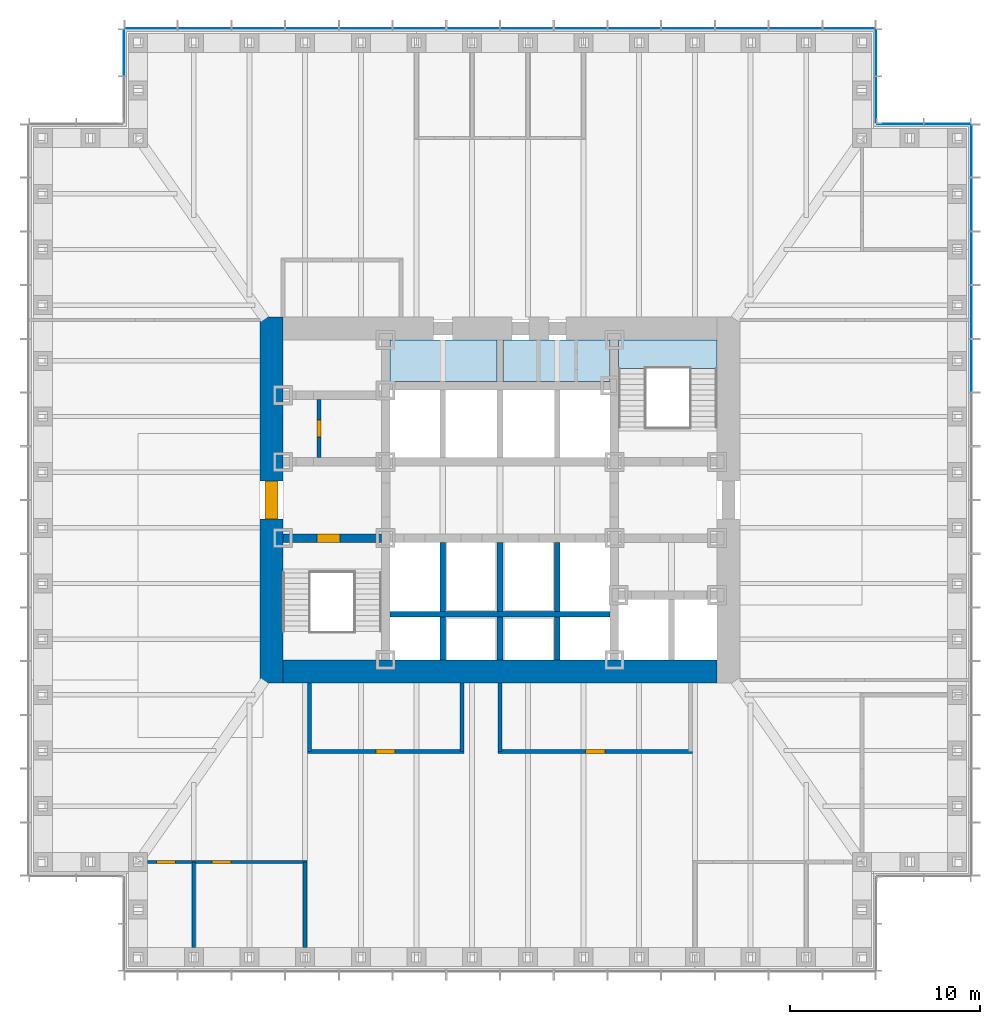
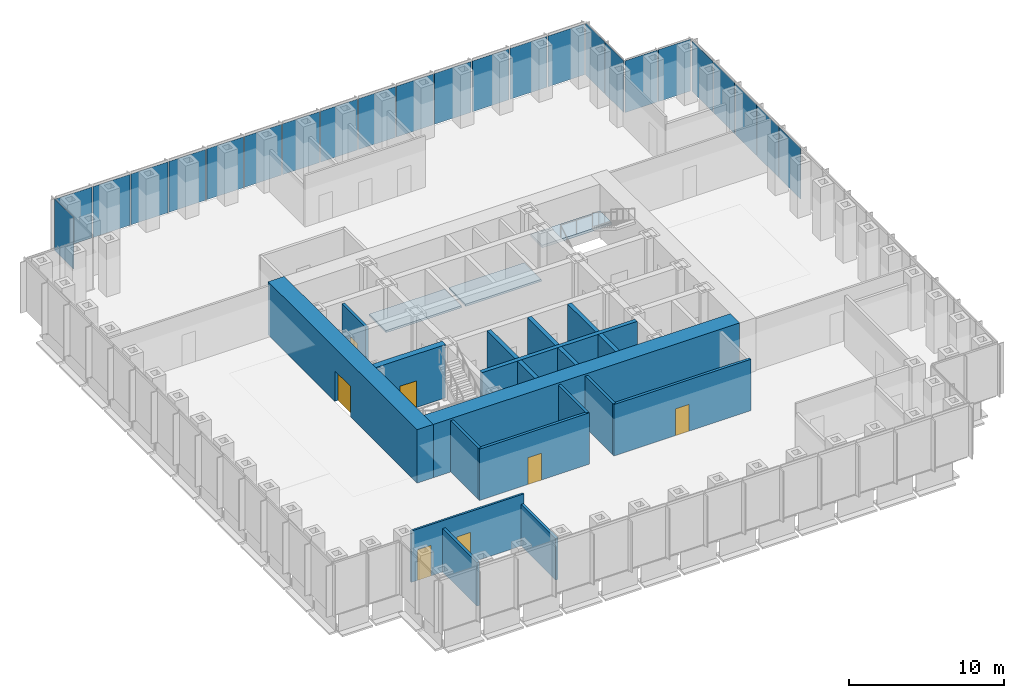
# One storey, part 8 of 16: 24 plates, 19 walls, 7 doors, 3 slabs, 7 openings, 6 elements without a shape of their own.
"""IFC4 building model written with IfcOpenShell, lengths in metres."""

from ifc_helpers import new_model, si_unit, direction, frame, frame_2d, origin, origin_2d, place, context, subcontext, project, spatial, polyline, rectangle, outline, extrude, material, layer, layer_set, type_object, element, fill, aggregate, save


model = new_model("IFC4")

# Units and contexts
model_context = context("Model", 3, precision=1e-05, world=origin(), true_north=direction((0.0, 1.0)))
body_context = subcontext(model_context, "Body", "Model", "MODEL_VIEW")
ifc_project = project(units=[si_unit("LENGTHUNIT", "METRE"), si_unit("AREAUNIT", "SQUARE_METRE"), si_unit("VOLUMEUNIT", "CUBIC_METRE"), si_unit("PLANEANGLEUNIT", "RADIAN"), si_unit("MASSUNIT", "GRAM", prefix="KILO")], contexts=[model_context])

# Site, building, storey
site_placement = place(None, origin())
site = spatial("IfcSite", under=ifc_project, at=site_placement, CompositionType="ELEMENT")
building_placement = place(site_placement, origin())
building = spatial("IfcBuilding", under=site, at=building_placement, Name="Daluyong Arena Tower", CompositionType="ELEMENT")
storey_placement = place(building_placement, frame((0.0, 0.0, 43.300048828125)))
storey = spatial("IfcBuildingStorey", under=building, at=storey_placement, Name="L08", CompositionType="ELEMENT", Elevation=43.300048828125)

# Curtain wall, plates
ifc_material_1 = material(Name="Bronze anodised aluminium and glass", Category="aluminium")
curtain_wall_type_1 = type_object("IfcCurtainWallType", Name="Curtain wall CW1", PredefinedType="USERDEFINED", material=ifc_material_1)
curtain_wall_1_placement = place(storey_placement, origin())
curtain_wall_1 = element("IfcCurtainWall", 1, at=curtain_wall_1_placement, inside=storey, type_object=curtain_wall_type_1, Name="curtain wall L08 E", ObjectType="UNITISED CURTAIN WALL", PredefinedType="USERDEFINED")
ifc_material_2 = material(Name="Tinted double glazed unit", Category="glass")
ifc_layer_1 = layer(ifc_material_2, 0.031982421875)
ifc_layer_set_1 = layer_set([ifc_layer_1], Name="Tinted double glazed unit")
plate_type_1 = type_object("IfcPlateType", Name="CW1 panel 32", PredefinedType="CURTAIN_PANEL", material=ifc_layer_set_1)
plate_1_placement = place(storey_placement, frame((80.75, 87.053466796875, 0.0), z_axis=(0.0, 0.0, 1.0), x_axis=(0.0, 1.0, 0.0)))
plate_1 = element("IfcPlate", 2, at=plate_1_placement, type_object=plate_type_1, Name="curtain wall L08 E panel 10", PredefinedType="CURTAIN_PANEL", context=body_context, shape_type="SweptSolid", body=[
    extrude(rectangle(XDim=2.741455078125, YDim=0.031982421875, at=origin_2d()), origin(), (0.0, 0.0, 1.0), 4.0),
])
plate_2_placement = place(storey_placement, frame((80.75, 89.875, 0.0), z_axis=(0.0, 0.0, 1.0), x_axis=(0.0, 1.0, 0.0)))
plate_2 = element("IfcPlate", 3, at=plate_2_placement, type_object=plate_type_1, Name="curtain wall L08 E panel 11", PredefinedType="CURTAIN_PANEL", context=body_context, shape_type="SweptSolid", body=[
    extrude(rectangle(XDim=2.741455078125, YDim=0.031982421875, at=origin_2d()), origin(), (0.0, 0.0, 1.0), 4.0),
])
plate_3_placement = place(storey_placement, frame((80.75, 92.696533203125, 0.0), z_axis=(0.0, 0.0, 1.0), x_axis=(0.0, 1.0, 0.0)))
plate_3 = element("IfcPlate", 4, at=plate_3_placement, type_object=plate_type_1, Name="curtain wall L08 E panel 12", PredefinedType="CURTAIN_PANEL", context=body_context, shape_type="SweptSolid", body=[
    extrude(rectangle(XDim=2.741455078125, YDim=0.031982421875, at=origin_2d()), origin(), (0.0, 0.0, 1.0), 4.0),
])
plate_4_placement = place(storey_placement, frame((80.75, 95.517822265625, 0.0), z_axis=(0.0, 0.0, 1.0), x_axis=(0.0, 1.0, 0.0)))
plate_4 = element("IfcPlate", 5, at=plate_4_placement, type_object=plate_type_1, Name="curtain wall L08 E panel 13", PredefinedType="CURTAIN_PANEL", context=body_context, shape_type="SweptSolid", body=[
    extrude(rectangle(XDim=2.741455078125, YDim=0.031982421875, at=origin_2d()), origin(), (0.0, 0.0, 1.0), 4.0),
])
plate_5_placement = place(storey_placement, frame((80.75, 98.3193359375, 0.0), z_axis=(0.0, 0.0, 1.0), x_axis=(0.0, 1.0, 0.0)))
plate_5 = element("IfcPlate", 6, at=plate_5_placement, type_object=plate_type_1, Name="curtain wall L08 E panel 14", PredefinedType="CURTAIN_PANEL", context=body_context, shape_type="SweptSolid", body=[
    extrude(rectangle(XDim=2.701416015625, YDim=0.031982421875, at=origin_2d()), origin(), (0.0, 0.0, 1.0), 4.0),
])
aggregate(curtain_wall_1, [plate_1, plate_2, plate_3, plate_4, plate_5])

curtain_wall_2_placement = place(storey_placement, origin())
curtain_wall_2 = element("IfcCurtainWall", 7, at=curtain_wall_2_placement, inside=storey, type_object=curtain_wall_type_1, Name="curtain wall L08 N", ObjectType="UNITISED CURTAIN WALL", PredefinedType="USERDEFINED")
plate_6_placement = place(storey_placement, frame((74.3193359375, 104.75, 0.0), z_axis=(0.0, 0.0, 1.0), x_axis=(-1.0, 0.0, 0.0)))
plate_6 = element("IfcPlate", 8, at=plate_6_placement, type_object=plate_type_1, Name="curtain wall L08 N panel 1", PredefinedType="CURTAIN_PANEL", context=body_context, shape_type="SweptSolid", body=[
    extrude(rectangle(XDim=2.701416015625, YDim=0.031982421875, at=origin_2d()), origin(), (0.0, 0.0, 1.0), 4.0),
])
plate_7_placement = place(storey_placement, frame((71.517822265625, 104.75, 0.0), z_axis=(0.0, 0.0, 1.0), x_axis=(-1.0, 0.0, 0.0)))
plate_7 = element("IfcPlate", 9, at=plate_7_placement, type_object=plate_type_1, Name="curtain wall L08 N panel 2", PredefinedType="CURTAIN_PANEL", context=body_context, shape_type="SweptSolid", body=[
    extrude(rectangle(XDim=2.741455078125, YDim=0.031982421875, at=origin_2d()), origin(), (0.0, 0.0, 1.0), 4.0),
])
plate_8_placement = place(storey_placement, frame((68.696533203125, 104.75, 0.0), z_axis=(0.0, 0.0, 1.0), x_axis=(-1.0, 0.0, 0.0)))
plate_8 = element("IfcPlate", 10, at=plate_8_placement, type_object=plate_type_1, Name="curtain wall L08 N panel 3", PredefinedType="CURTAIN_PANEL", context=body_context, shape_type="SweptSolid", body=[
    extrude(rectangle(XDim=2.741455078125, YDim=0.031982421875, at=origin_2d()), origin(), (0.0, 0.0, 1.0), 4.0),
])
plate_9_placement = place(storey_placement, frame((65.875, 104.75, 0.0), z_axis=(0.0, 0.0, 1.0), x_axis=(-1.0, 0.0, 0.0)))
plate_9 = element("IfcPlate", 11, at=plate_9_placement, type_object=plate_type_1, Name="curtain wall L08 N panel 4", PredefinedType="CURTAIN_PANEL", context=body_context, shape_type="SweptSolid", body=[
    extrude(rectangle(XDim=2.741455078125, YDim=0.031982421875, at=origin_2d()), origin(), (0.0, 0.0, 1.0), 4.0),
])
plate_10_placement = place(storey_placement, frame((63.053466796875, 104.75, 0.0), z_axis=(0.0, 0.0, 1.0), x_axis=(-1.0, 0.0, 0.0)))
plate_10 = element("IfcPlate", 12, at=plate_10_placement, type_object=plate_type_1, Name="curtain wall L08 N panel 5", PredefinedType="CURTAIN_PANEL", context=body_context, shape_type="SweptSolid", body=[
    extrude(rectangle(XDim=2.741455078125, YDim=0.031982421875, at=origin_2d()), origin(), (0.0, 0.0, 1.0), 4.0),
])
plate_11_placement = place(storey_placement, frame((60.232177734375, 104.75, 0.0), z_axis=(0.0, 0.0, 1.0), x_axis=(-1.0, 0.0, 0.0)))
plate_11 = element("IfcPlate", 13, at=plate_11_placement, type_object=plate_type_1, Name="curtain wall L08 N panel 6", PredefinedType="CURTAIN_PANEL", context=body_context, shape_type="SweptSolid", body=[
    extrude(rectangle(XDim=2.741455078125, YDim=0.031982421875, at=origin_2d()), origin(), (0.0, 0.0, 1.0), 4.0),
])
plate_12_placement = place(storey_placement, frame((57.41064453125, 104.75, 0.0), z_axis=(0.0, 0.0, 1.0), x_axis=(-1.0, 0.0, 0.0)))
plate_12 = element("IfcPlate", 14, at=plate_12_placement, type_object=plate_type_1, Name="curtain wall L08 N panel 7", PredefinedType="CURTAIN_PANEL", context=body_context, shape_type="SweptSolid", body=[
    extrude(rectangle(XDim=2.741455078125, YDim=0.031982421875, at=origin_2d()), origin(), (0.0, 0.0, 1.0), 4.0),
])
plate_13_placement = place(storey_placement, frame((54.58935546875, 104.75, 0.0), z_axis=(0.0, 0.0, 1.0), x_axis=(-1.0, 0.0, 0.0)))
plate_13 = element("IfcPlate", 15, at=plate_13_placement, type_object=plate_type_1, Name="curtain wall L08 N panel 8", PredefinedType="CURTAIN_PANEL", context=body_context, shape_type="SweptSolid", body=[
    extrude(rectangle(XDim=2.741455078125, YDim=0.031982421875, at=origin_2d()), origin(), (0.0, 0.0, 1.0), 4.0),
])
plate_14_placement = place(storey_placement, frame((51.767822265625, 104.75, 0.0), z_axis=(0.0, 0.0, 1.0), x_axis=(-1.0, 0.0, 0.0)))
plate_14 = element("IfcPlate", 16, at=plate_14_placement, type_object=plate_type_1, Name="curtain wall L08 N panel 9", PredefinedType="CURTAIN_PANEL", context=body_context, shape_type="SweptSolid", body=[
    extrude(rectangle(XDim=2.741455078125, YDim=0.031982421875, at=origin_2d()), origin(), (0.0, 0.0, 1.0), 4.0),
])
plate_15_placement = place(storey_placement, frame((48.946533203125, 104.75, 0.0), z_axis=(0.0, 0.0, 1.0), x_axis=(-1.0, 0.0, 0.0)))
plate_15 = element("IfcPlate", 17, at=plate_15_placement, type_object=plate_type_1, Name="curtain wall L08 N panel 10", PredefinedType="CURTAIN_PANEL", context=body_context, shape_type="SweptSolid", body=[
    extrude(rectangle(XDim=2.741455078125, YDim=0.031982421875, at=origin_2d()), origin(), (0.0, 0.0, 1.0), 4.0),
])
plate_16_placement = place(storey_placement, frame((46.125, 104.75, 0.0), z_axis=(0.0, 0.0, 1.0), x_axis=(-1.0, 0.0, 0.0)))
plate_16 = element("IfcPlate", 18, at=plate_16_placement, type_object=plate_type_1, Name="curtain wall L08 N panel 11", PredefinedType="CURTAIN_PANEL", context=body_context, shape_type="SweptSolid", body=[
    extrude(rectangle(XDim=2.741455078125, YDim=0.031982421875, at=origin_2d()), origin(), (0.0, 0.0, 1.0), 4.0),
])
plate_17_placement = place(storey_placement, frame((43.303466796875, 104.75, 0.0), z_axis=(0.0, 0.0, 1.0), x_axis=(-1.0, 0.0, 0.0)))
plate_17 = element("IfcPlate", 19, at=plate_17_placement, type_object=plate_type_1, Name="curtain wall L08 N panel 12", PredefinedType="CURTAIN_PANEL", context=body_context, shape_type="SweptSolid", body=[
    extrude(rectangle(XDim=2.741455078125, YDim=0.031982421875, at=origin_2d()), origin(), (0.0, 0.0, 1.0), 4.0),
])
plate_18_placement = place(storey_placement, frame((40.482177734375, 104.75, 0.0), z_axis=(0.0, 0.0, 1.0), x_axis=(-1.0, 0.0, 0.0)))
plate_18 = element("IfcPlate", 20, at=plate_18_placement, type_object=plate_type_1, Name="curtain wall L08 N panel 13", PredefinedType="CURTAIN_PANEL", context=body_context, shape_type="SweptSolid", body=[
    extrude(rectangle(XDim=2.741455078125, YDim=0.031982421875, at=origin_2d()), origin(), (0.0, 0.0, 1.0), 4.0),
])
plate_19_placement = place(storey_placement, frame((37.6806640625, 104.75, 0.0), z_axis=(0.0, 0.0, 1.0), x_axis=(-1.0, 0.0, 0.0)))
plate_19 = element("IfcPlate", 21, at=plate_19_placement, type_object=plate_type_1, Name="curtain wall L08 N panel 14", PredefinedType="CURTAIN_PANEL", context=body_context, shape_type="SweptSolid", body=[
    extrude(rectangle(XDim=2.701416015625, YDim=0.031982421875, at=origin_2d()), origin(), (0.0, 0.0, 1.0), 4.0),
])
aggregate(curtain_wall_2, [plate_6, plate_7, plate_8, plate_9, plate_10, plate_11, plate_12, plate_13, plate_14, plate_15, plate_16, plate_17, plate_18, plate_19])

ifc_material_3 = material(Name="Bronze anodised aluminium and glass", Category="aluminium")
curtain_wall_type_2 = type_object("IfcCurtainWallType", Name="Curtain wall CW7", PredefinedType="USERDEFINED", material=ifc_material_3)
curtain_wall_3_placement = place(storey_placement, origin())
curtain_wall_3 = element("IfcCurtainWall", 22, at=curtain_wall_3_placement, inside=storey, type_object=curtain_wall_type_2, Name="curtain wall L08 NE-N", ObjectType="UNITISED CURTAIN WALL", PredefinedType="USERDEFINED")
ifc_material_4 = material(Name="Tinted double glazed unit", Category="glass")
ifc_layer_2 = layer(ifc_material_4, 0.028076171875)
ifc_layer_set_2 = layer_set([ifc_layer_2], Name="Tinted double glazed unit")
plate_type_2 = type_object("IfcPlateType", Name="CW7 panel 28", PredefinedType="CURTAIN_PANEL", material=ifc_layer_set_2)
plate_20_placement = place(storey_placement, frame((79.485107421875, 99.75, 0.0), z_axis=(0.0, 0.0, 1.0), x_axis=(-1.0, 0.0, 0.0)))
plate_20 = element("IfcPlate", 23, at=plate_20_placement, type_object=plate_type_2, Name="curtain wall L08 NE-N panel 1", PredefinedType="CURTAIN_PANEL", context=body_context, shape_type="SweptSolid", body=[
    extrude(rectangle(XDim=2.409912109375, YDim=0.028076171875, at=origin_2d()), origin(), (0.0, 0.0, 1.0), 4.080078125),
])
plate_21_placement = place(storey_placement, frame((77.014892578125, 99.75, 0.0), z_axis=(0.0, 0.0, 1.0), x_axis=(-1.0, 0.0, 0.0)))
plate_21 = element("IfcPlate", 24, at=plate_21_placement, type_object=plate_type_2, Name="curtain wall L08 NE-N panel 2", PredefinedType="CURTAIN_PANEL", context=body_context, shape_type="SweptSolid", body=[
    extrude(rectangle(XDim=2.409912109375, YDim=0.028076171875, at=origin_2d()), origin(), (0.0, 0.0, 1.0), 4.080078125),
])
aggregate(curtain_wall_3, [plate_20, plate_21])

curtain_wall_4_placement = place(storey_placement, origin())
curtain_wall_4 = element("IfcCurtainWall", 25, at=curtain_wall_4_placement, inside=storey, type_object=curtain_wall_type_2, Name="curtain wall L08 NE-E", ObjectType="UNITISED CURTAIN WALL", PredefinedType="USERDEFINED")
plate_22_placement = place(storey_placement, frame((75.75, 101.014892578125, 0.0), z_axis=(0.0, 0.0, 1.0), x_axis=(0.0, 1.0, 0.0)))
plate_22 = element("IfcPlate", 26, at=plate_22_placement, type_object=plate_type_2, Name="curtain wall L08 NE-E panel 1", PredefinedType="CURTAIN_PANEL", context=body_context, shape_type="SweptSolid", body=[
    extrude(rectangle(XDim=2.409912109375, YDim=0.028076171875, at=origin_2d()), origin(), (0.0, 0.0, 1.0), 4.080078125),
])
plate_23_placement = place(storey_placement, frame((75.75, 103.485107421875, 0.0), z_axis=(0.0, 0.0, 1.0), x_axis=(0.0, 1.0, 0.0)))
plate_23 = element("IfcPlate", 27, at=plate_23_placement, type_object=plate_type_2, Name="curtain wall L08 NE-E panel 2", PredefinedType="CURTAIN_PANEL", context=body_context, shape_type="SweptSolid", body=[
    extrude(rectangle(XDim=2.409912109375, YDim=0.028076171875, at=origin_2d()), origin(), (0.0, 0.0, 1.0), 4.080078125),
])
aggregate(curtain_wall_4, [plate_22, plate_23])

# Curtain wall, plate
curtain_wall_5_placement = place(storey_placement, origin())
curtain_wall_5 = element("IfcCurtainWall", 28, at=curtain_wall_5_placement, inside=storey, type_object=curtain_wall_type_2, Name="curtain wall L08 NW-W", ObjectType="UNITISED CURTAIN WALL", PredefinedType="USERDEFINED")
plate_24_placement = place(storey_placement, frame((36.25, 103.485107421875, 0.0), z_axis=(0.0, 0.0, 1.0), x_axis=(0.0, -1.0, 0.0)))
plate_24 = element("IfcPlate", 29, at=plate_24_placement, type_object=plate_type_2, Name="curtain wall L08 NW-W panel 1", PredefinedType="CURTAIN_PANEL", context=body_context, shape_type="SweptSolid", body=[
    extrude(rectangle(XDim=2.409912109375, YDim=0.028076171875, at=origin_2d()), origin(), (0.0, 0.0, 1.0), 4.080078125),
])
aggregate(curtain_wall_5, [plate_24])

# Stair, slab
ifc_material_5 = material(Name="Concrete fc' 35 MPa", Category="concrete")
stair_type = type_object("IfcStairType", Name="Core exit stair", PredefinedType="HALF_TURN_STAIR", material=ifc_material_5)
stair_placement = place(storey_placement, origin())
stair = element("IfcStair", 30, at=stair_placement, inside=storey, type_object=stair_type, Name="exit stair B L08", PredefinedType="HALF_TURN_STAIR")
ifc_material_6 = material(Name="Concrete fc' 35 MPa", Category="concrete")
ifc_layer_3 = layer(ifc_material_6, 0.199951171875)
ifc_layer_set_3 = layer_set([ifc_layer_3], Name="Concrete fc' 35 MPa")
slab_type_1 = type_object("IfcSlabType", Name="Stair landing 200", PredefinedType="LANDING", material=ifc_layer_set_3)
slab_1_placement = place(storey_placement, frame((0.0, 0.0, 1.89990234375)))
slab_1 = element("IfcSlab", 31, at=slab_1_placement, type_object=slab_type_1, Name="STB landing 1", PredefinedType="LANDING", context=body_context, shape_type="SweptSolid", body=[
    extrude(outline(polyline([(62.22509765625, 86.905029296875), (67.39990234375, 86.905029296875), (67.39990234375, 88.39990234375), (62.22509765625, 88.39990234375), (62.22509765625, 86.905029296875)])), origin(), (0.0, 0.0, 1.0), 0.199951171875),
])
aggregate(stair, [slab_1])

# Slabs
ifc_material_7 = material(Name="Concrete fc' 35 MPa", Category="concrete")
ifc_layer_4 = layer(ifc_material_7, 0.159912109375)
ifc_layer_set_4 = layer_set([ifc_layer_4], Name="Concrete fc' 35 MPa")
slab_type_2 = type_object("IfcSlabType", Name="Tower floor slab 160", PredefinedType="FLOOR", material=ifc_layer_set_4)
slab_2_placement = place(storey_placement, frame((0.0, 0.0, -0.16015625)))
element("IfcSlab", 32, at=slab_2_placement, inside=storey, type_object=slab_type_2, Name="floor L08 part 5", PredefinedType="FLOOR", context=body_context, shape_type="SweptSolid", body=[
    extrude(outline(polyline([(50.22509765625, 88.39990234375), (50.22509765625, 86.22509765625), (55.85009765625, 86.22509765625), (55.85009765625, 88.39990234375), (50.22509765625, 88.39990234375)])), origin(), (0.0, 0.0, 1.0), 0.16015625),
])
slab_3_placement = place(storey_placement, frame((0.0, 0.0, -0.16015625)))
element("IfcSlab", 33, at=slab_3_placement, inside=storey, type_object=slab_type_2, Name="floor L08 part 12", PredefinedType="FLOOR", context=body_context, shape_type="SweptSolid", body=[
    extrude(outline(polyline([(56.14990234375, 86.22509765625), (61.77490234375, 86.22509765625), (61.77490234375, 88.39990234375), (56.14990234375, 88.39990234375), (56.14990234375, 86.22509765625)])), origin(), (0.0, 0.0, 1.0), 0.16015625),
])

# Wall, opening, door
ifc_material_8 = material(Name="Concrete fc' 45 MPa", Category="concrete")
ifc_layer_5 = layer(ifc_material_8, 0.449951171875)
ifc_layer_set_5 = layer_set([ifc_layer_5], Name="Concrete fc' 45 MPa")
wall_type_1 = type_object("IfcWallType", Name="Core inner wall 450", PredefinedType="SHEAR", material=ifc_layer_set_5)
wall_1_placement = place(storey_placement, frame((44.60009765625, 78.0, 0.0), z_axis=(0.0, 0.0, 1.0), x_axis=(1.0, 0.0, 0.0)))
wall_1 = element("IfcWall", 34, at=wall_1_placement, inside=storey, type_object=wall_type_1, Name="core inner wall at L08", PredefinedType="SHEAR", context=body_context, shape_type="SweptSolid", body=[
    extrude(rectangle(XDim=5.1748046875, YDim=0.449951171875, at=frame_2d((2.58740234375, 0.0))), origin(), (0.0, 0.0, 1.0), 4.199951171875),
])
opening_1_placement = place(wall_1_placement, frame((1.800048828125, 0.0, 0.0)))
opening_1 = element("IfcOpeningElement", 35, at=opening_1_placement, cuts=wall_1, Name="Opening 08008", PredefinedType="OPENING", context=body_context, shape_type="SweptSolid", body=[
    extrude(rectangle(XDim=1.199951171875, YDim=2.10009765625, at=frame_2d((0.60009765625, 1.050048828125))), frame((0.0, 0.23486328125, 0.0), z_axis=(0.0, -1.0, 0.0), x_axis=(1.0, 0.0, 0.0)), (0.0, 0.0, 1.0), 0.469970703125),
])
ifc_material_9 = material(Name="Steel door, fire rated", Category="steel")
door_type_1 = type_object("IfcDoorType", Name="Stair door 1200", OperationType="SINGLE_SWING_LEFT", PredefinedType="DOOR", material=ifc_material_9)
door_1_placement = place(opening_1_placement, origin())
door_1 = element("IfcDoor", 36, at=door_1_placement, inside=storey, type_object=door_type_1, Name="stair A door 08008", OperationType="SINGLE_SWING_LEFT", OverallHeight=2.10009765625, OverallWidth=1.199951171875, PredefinedType="DOOR", context=body_context, shape_type="SweptSolid", body=[
    extrude(rectangle(XDim=1.199951171875, YDim=2.10009765625, at=frame_2d((0.60009765625, 1.050048828125))), frame((0.0, 0.224609375, 0.0), z_axis=(0.0, -1.0, 0.0), x_axis=(1.0, 0.0, 0.0)), (0.0, 0.0, 1.0), 0.449462890625),
])
fill(opening_1, door_1)

ifc_material_10 = material(Name="Concrete fc' 60 MPa", Category="concrete")
ifc_layer_6 = layer(ifc_material_10, 1.199951171875)
ifc_layer_set_6 = layer_set([ifc_layer_6], Name="Concrete fc' 60 MPa")
wall_type_2 = type_object("IfcWallType", Name="Core wall 1200", PredefinedType="SHEAR", material=ifc_layer_set_6)
wall_2_placement = place(storey_placement, frame((44.0, 70.39990234375, 0.0), z_axis=(0.0, 0.0, 1.0), x_axis=(0.0, 1.0, 0.0)))
wall_2 = element("IfcWall", 37, at=wall_2_placement, inside=storey, type_object=wall_type_2, Name="core wall at L08", PredefinedType="SHEAR", context=body_context, shape_type="SweptSolid", body=[
    extrude(rectangle(XDim=19.2001953125, YDim=1.199951171875, at=frame_2d((9.60009765625, 0.0))), origin(), (0.0, 0.0, 1.0), 4.199951171875),
])
opening_2_placement = place(wall_2_placement, frame((8.60009765625, 0.0, 0.0)))
opening_2 = element("IfcOpeningElement", 38, at=opening_2_placement, cuts=wall_2, Name="Opening 08010", PredefinedType="OPENING", context=body_context, shape_type="SweptSolid", body=[
    extrude(rectangle(XDim=2.0, YDim=2.39990234375, at=frame_2d((1.0, 1.199951171875))), frame((0.0, 0.60986328125, 0.0), z_axis=(0.0, -1.0, 0.0), x_axis=(1.0, 0.0, 0.0)), (0.0, 0.0, 1.0), 1.219970703125),
])
ifc_material_11 = material(Name="Steel door, fire rated", Category="steel")
door_type_2 = type_object("IfcDoorType", Name="Core lobby double door 2000", OperationType="DOUBLE_DOOR_SINGLE_SWING", PredefinedType="DOOR", material=ifc_material_11)
door_2_placement = place(opening_2_placement, origin())
door_2 = element("IfcDoor", 39, at=door_2_placement, inside=storey, type_object=door_type_2, Name="core lobby door west 08010", OperationType="DOUBLE_DOOR_SINGLE_SWING", OverallHeight=2.39990234375, OverallWidth=2.0, PredefinedType="DOOR", context=body_context, shape_type="SweptSolid", body=[
    extrude(rectangle(XDim=2.0, YDim=2.39990234375, at=frame_2d((1.0, 1.199951171875))), frame((0.0, 0.35009765625, 0.0), z_axis=(0.0, -1.0, 0.0), x_axis=(1.0, 0.0, 0.0)), (0.0, 0.0, 1.0), 0.699951171875),
])
fill(opening_2, door_2)

# Wall
wall_3_placement = place(storey_placement, frame((44.60009765625, 71.0, 0.0), z_axis=(0.0, 0.0, 1.0), x_axis=(1.0, 0.0, 0.0)))
element("IfcWall", 40, at=wall_3_placement, inside=storey, type_object=wall_type_2, Name="core wall at L08", PredefinedType="SHEAR", context=body_context, shape_type="SweptSolid", body=[
    extrude(rectangle(XDim=22.7998046875, YDim=1.199951171875, at=frame_2d((11.39990234375, 0.0))), origin(), (0.0, 0.0, 1.0), 4.199951171875),
])

# Wall, opening, door
ifc_material_12 = material(Name="Concrete block partition, fire rated", Category="concrete")
ifc_layer_7 = layer(ifc_material_12, 0.199951171875)
ifc_layer_set_7 = layer_set([ifc_layer_7], Name="Concrete block partition, fire rated")
wall_type_3 = type_object("IfcWallType", Name="Fire-rated partition 200", PredefinedType="PARTITIONING", material=ifc_layer_set_7)
wall_4_placement = place(storey_placement, frame((46.5, 82.22509765625, 0.0), z_axis=(0.0, 0.0, 1.0), x_axis=(0.0, 1.0, 0.0)))
wall_4 = element("IfcWall", 41, at=wall_4_placement, inside=storey, type_object=wall_type_3, Name="toilet lobby partition at L08", PredefinedType="PARTITIONING", context=body_context, shape_type="SweptSolid", body=[
    extrude(rectangle(XDim=3.0498046875, YDim=0.199951171875, at=frame_2d((1.52490234375, 0.0))), origin(), (0.0, 0.0, 1.0), 4.0400390625),
])
opening_3_placement = place(wall_4_placement, frame((1.074951171875, 0.0, 0.0)))
opening_3 = element("IfcOpeningElement", 42, at=opening_3_placement, cuts=wall_4, Name="Opening 08002", PredefinedType="OPENING", context=body_context, shape_type="SweptSolid", body=[
    extrude(rectangle(XDim=0.89990234375, YDim=2.10009765625, at=frame_2d((0.449951171875, 1.050048828125))), frame((0.0, 0.10986328125, 0.0), z_axis=(0.0, -1.0, 0.0), x_axis=(1.0, 0.0, 0.0)), (0.0, 0.0, 1.0), 0.219970703125),
])
ifc_material_13 = material(Name="Timber door", Category="wood")
door_type_3 = type_object("IfcDoorType", Name="Toilet door 900", OperationType="SINGLE_SWING_RIGHT", PredefinedType="DOOR", material=ifc_material_13)
door_3_placement = place(opening_3_placement, origin())
door_3 = element("IfcDoor", 43, at=door_3_placement, inside=storey, type_object=door_type_3, Name="male toilet door 08002", OperationType="SINGLE_SWING_RIGHT", OverallHeight=2.10009765625, OverallWidth=0.89990234375, PredefinedType="DOOR", context=body_context, shape_type="SweptSolid", body=[
    extrude(rectangle(XDim=0.89990234375, YDim=2.10009765625, at=frame_2d((0.449951171875, 1.050048828125))), frame((0.0, 0.099609375, 0.0), z_axis=(0.0, -1.0, 0.0), x_axis=(1.0, 0.0, 0.0)), (0.0, 0.0, 1.0), 0.199462890625),
])
fill(opening_3, door_3)

# Wall, openings, doors
ifc_material_14 = material(Name="Glazed aluminium partition", Category="aluminium")
ifc_layer_8 = layer(ifc_material_14, 0.14990234375)
ifc_layer_set_8 = layer_set([ifc_layer_8], Name="Glazed aluminium partition")
wall_type_4 = type_object("IfcWallType", Name="Glazed partition 150", PredefinedType="PARTITIONING", material=ifc_layer_set_8)
wall_5_placement = place(storey_placement, frame((37.5, 61.0, 0.0), z_axis=(0.0, 0.0, 1.0), x_axis=(1.0, 0.0, 0.0)))
wall_5 = element("IfcWall", 44, at=wall_5_placement, inside=storey, type_object=wall_type_4, Name="glazed partition at L08", PredefinedType="PARTITIONING", context=body_context, shape_type="SweptSolid", body=[
    extrude(rectangle(XDim=8.369140625, YDim=0.14990234375, at=frame_2d((4.1845703125, 0.0))), origin(), (0.0, 0.0, 1.0), 4.0400390625),
])
opening_4_placement = place(wall_5_placement, frame((0.46142578125, 0.0, 0.0)))
opening_4 = element("IfcOpeningElement", 45, at=opening_4_placement, cuts=wall_5, Name="Opening 08021", PredefinedType="OPENING", context=body_context, shape_type="SweptSolid", body=[
    extrude(rectangle(XDim=1.0, YDim=2.39990234375, at=frame_2d((0.5, 1.199951171875))), frame((0.0, 0.0849609375, 0.0), z_axis=(0.0, -1.0, 0.0), x_axis=(1.0, 0.0, 0.0)), (0.0, 0.0, 1.0), 0.169921875),
])
opening_5_placement = place(wall_5_placement, frame((3.384521484375, 0.0, 0.0)))
opening_5 = element("IfcOpeningElement", 46, at=opening_5_placement, cuts=wall_5, Name="Opening 08022", PredefinedType="OPENING", context=body_context, shape_type="SweptSolid", body=[
    extrude(rectangle(XDim=1.0, YDim=2.39990234375, at=frame_2d((0.5, 1.199951171875))), frame((0.0, 0.0849609375, 0.0), z_axis=(0.0, -1.0, 0.0), x_axis=(1.0, 0.0, 0.0)), (0.0, 0.0, 1.0), 0.169921875),
])
ifc_material_15 = material(Name="Glazed aluminium door", Category="aluminium")
door_type_4 = type_object("IfcDoorType", Name="Meeting room glazed door 1000", OperationType="SINGLE_SWING_RIGHT", PredefinedType="DOOR", material=ifc_material_15)
door_4_placement = place(opening_4_placement, origin())
door_4 = element("IfcDoor", 47, at=door_4_placement, inside=storey, type_object=door_type_4, Name="focus room door 08021", OperationType="SINGLE_SWING_RIGHT", OverallHeight=2.39990234375, OverallWidth=1.0, PredefinedType="DOOR", context=body_context, shape_type="SweptSolid", body=[
    extrude(rectangle(XDim=1.0, YDim=2.39990234375, at=frame_2d((0.5, 1.199951171875))), frame((0.0, 0.07470703125, 0.0), z_axis=(0.0, -1.0, 0.0), x_axis=(1.0, 0.0, 0.0)), (0.0, 0.0, 1.0), 0.1494140625),
])
fill(opening_4, door_4)
door_5_placement = place(opening_5_placement, origin())
door_5 = element("IfcDoor", 48, at=door_5_placement, inside=storey, type_object=door_type_4, Name="meeting room door 08022", OperationType="SINGLE_SWING_RIGHT", OverallHeight=2.39990234375, OverallWidth=1.0, PredefinedType="DOOR", context=body_context, shape_type="SweptSolid", body=[
    extrude(rectangle(XDim=1.0, YDim=2.39990234375, at=frame_2d((0.5, 1.199951171875))), frame((0.0, 0.07470703125, 0.0), z_axis=(0.0, -1.0, 0.0), x_axis=(1.0, 0.0, 0.0)), (0.0, 0.0, 1.0), 0.1494140625),
])
fill(opening_5, door_5)

# Walls
ifc_material_16 = material(Name="Concrete fc' 45 MPa", Category="concrete")
ifc_layer_9 = layer(ifc_material_16, 0.300048828125)
ifc_layer_set_9 = layer_set([ifc_layer_9], Name="Concrete fc' 45 MPa")
wall_type_5 = type_object("IfcWallType", Name="Lift shaft wall 300", PredefinedType="SHEAR", material=ifc_layer_set_9)
wall_6_placement = place(storey_placement, frame((50.22509765625, 74.0, 0.0), z_axis=(0.0, 0.0, 1.0), x_axis=(1.0, 0.0, 0.0)))
element("IfcWall", 49, at=wall_6_placement, inside=storey, type_object=wall_type_5, Name="lift shaft wall at L08", PredefinedType="SHEAR", context=body_context, shape_type="SweptSolid", body=[
    extrude(rectangle(XDim=11.5498046875, YDim=0.300048828125, at=frame_2d((5.77490234375, 0.0))), origin(), (0.0, 0.0, 1.0), 4.199951171875),
])
wall_7_placement = place(storey_placement, frame((53.0, 71.60009765625, 0.0), z_axis=(0.0, 0.0, 1.0), x_axis=(0.0, 1.0, 0.0)))
element("IfcWall", 50, at=wall_7_placement, inside=storey, type_object=wall_type_5, Name="lift shaft wall at L08", PredefinedType="SHEAR", context=body_context, shape_type="SweptSolid", body=[
    extrude(rectangle(XDim=2.25, YDim=0.300048828125, at=frame_2d((1.125, 0.0))), origin(), (0.0, 0.0, 1.0), 4.199951171875),
])
wall_8_placement = place(storey_placement, frame((53.0, 74.14990234375, 0.0), z_axis=(0.0, 0.0, 1.0), x_axis=(0.0, 1.0, 0.0)))
element("IfcWall", 51, at=wall_8_placement, inside=storey, type_object=wall_type_5, Name="lift shaft wall at L08", PredefinedType="SHEAR", context=body_context, shape_type="SweptSolid", body=[
    extrude(rectangle(XDim=3.625, YDim=0.300048828125, at=frame_2d((1.8125, 0.0))), origin(), (0.0, 0.0, 1.0), 4.199951171875),
])
wall_9_placement = place(storey_placement, frame((56.0, 71.60009765625, 0.0), z_axis=(0.0, 0.0, 1.0), x_axis=(0.0, 1.0, 0.0)))
element("IfcWall", 52, at=wall_9_placement, inside=storey, type_object=wall_type_5, Name="lift shaft wall at L08", PredefinedType="SHEAR", context=body_context, shape_type="SweptSolid", body=[
    extrude(rectangle(XDim=2.25, YDim=0.300048828125, at=frame_2d((1.125, 0.0))), origin(), (0.0, 0.0, 1.0), 4.199951171875),
])
wall_10_placement = place(storey_placement, frame((56.0, 74.14990234375, 0.0), z_axis=(0.0, 0.0, 1.0), x_axis=(0.0, 1.0, 0.0)))
element("IfcWall", 53, at=wall_10_placement, inside=storey, type_object=wall_type_5, Name="lift shaft wall at L08", PredefinedType="SHEAR", context=body_context, shape_type="SweptSolid", body=[
    extrude(rectangle(XDim=3.625, YDim=0.300048828125, at=frame_2d((1.8125, 0.0))), origin(), (0.0, 0.0, 1.0), 4.199951171875),
])
wall_11_placement = place(storey_placement, frame((59.0, 71.60009765625, 0.0), z_axis=(0.0, 0.0, 1.0), x_axis=(0.0, 1.0, 0.0)))
element("IfcWall", 54, at=wall_11_placement, inside=storey, type_object=wall_type_5, Name="lift shaft wall at L08", PredefinedType="SHEAR", context=body_context, shape_type="SweptSolid", body=[
    extrude(rectangle(XDim=2.25, YDim=0.300048828125, at=frame_2d((1.125, 0.0))), origin(), (0.0, 0.0, 1.0), 4.199951171875),
])
wall_12_placement = place(storey_placement, frame((59.0, 74.14990234375, 0.0), z_axis=(0.0, 0.0, 1.0), x_axis=(0.0, 1.0, 0.0)))
element("IfcWall", 55, at=wall_12_placement, inside=storey, type_object=wall_type_5, Name="lift shaft wall at L08", PredefinedType="SHEAR", context=body_context, shape_type="SweptSolid", body=[
    extrude(rectangle(XDim=3.625, YDim=0.300048828125, at=frame_2d((1.8125, 0.0))), origin(), (0.0, 0.0, 1.0), 4.199951171875),
])
ifc_material_17 = material(Name="Concrete block partition", Category="concrete")
ifc_layer_10 = layer(ifc_material_17, 0.199951171875)
ifc_layer_set_10 = layer_set([ifc_layer_10], Name="Concrete block partition")
wall_type_6 = type_object("IfcWallType", Name="Partition 200", PredefinedType="PARTITIONING", material=ifc_layer_set_10)
wall_13_placement = place(storey_placement, frame((39.923095703125, 56.5, 0.0), z_axis=(0.0, 0.0, 1.0), x_axis=(0.0, 1.0, 0.0)))
element("IfcWall", 56, at=wall_13_placement, inside=storey, type_object=wall_type_6, Name="partition at L08", PredefinedType="PARTITIONING", context=body_context, shape_type="SweptSolid", body=[
    extrude(rectangle(XDim=4.5, YDim=0.199951171875, at=frame_2d((2.25, 0.0))), origin(), (0.0, 0.0, 1.0), 3.427734375),
])
wall_14_placement = place(storey_placement, frame((45.769287109375, 56.5, 0.0), z_axis=(0.0, 0.0, 1.0), x_axis=(0.0, 1.0, 0.0)))
element("IfcWall", 57, at=wall_14_placement, inside=storey, type_object=wall_type_6, Name="partition at L08", PredefinedType="PARTITIONING", context=body_context, shape_type="SweptSolid", body=[
    extrude(rectangle(XDim=4.5, YDim=0.199951171875, at=frame_2d((2.25, 0.0))), origin(), (0.0, 0.0, 1.0), 3.27783203125),
])
for number, where, z_axis, x_axis, name in (
    (58, (46.0, 66.800048828125, 0.0), (0.0, 0.0, 1.0), (0.0, 1.0, 0.0), "partition at L08"),
    (59, (54.0, 66.800048828125, 0.0), (0.0, 0.0, 1.0), (0.0, 1.0, 0.0), "partition at L08"),
    (60, (56.0, 66.800048828125, 0.0), (0.0, 0.0, 1.0), (0.0, 1.0, 0.0), "partition at L08"),
):
    element("IfcWall", number, at=place(storey_placement, frame(where, z_axis=z_axis, x_axis=x_axis)), inside=storey, type_object=wall_type_6, Name=name, PredefinedType="PARTITIONING", context=body_context, shape_type="SweptSolid", body=[
        extrude(rectangle(XDim=3.599853515625, YDim=0.199951171875, at=frame_2d((1.7998046875, 0.0))), origin(), (0.0, 0.0, 1.0), 4.0400390625),
    ])

# Wall, opening, door
wall_15_placement = place(storey_placement, frame((45.89990234375, 66.800048828125, 0.0), z_axis=(0.0, 0.0, 1.0), x_axis=(1.0, 0.0, 0.0)))
wall_15 = element("IfcWall", 61, at=wall_15_placement, inside=storey, type_object=wall_type_6, Name="partition at L08", PredefinedType="PARTITIONING", context=body_context, shape_type="SweptSolid", body=[
    extrude(rectangle(XDim=8.2001953125, YDim=0.199951171875, at=frame_2d((4.10009765625, 0.0))), origin(), (0.0, 0.0, 1.0), 4.0400390625),
])
opening_6_placement = place(wall_15_placement, frame((3.60009765625, 0.0, 0.0)))
opening_6 = element("IfcOpeningElement", 62, at=opening_6_placement, cuts=wall_15, Name="Opening 08030", PredefinedType="OPENING", context=body_context, shape_type="SweptSolid", body=[
    extrude(rectangle(XDim=1.0, YDim=2.10009765625, at=frame_2d((0.5, 1.050048828125))), frame((0.0, 0.10986328125, 0.0), z_axis=(0.0, -1.0, 0.0), x_axis=(1.0, 0.0, 0.0)), (0.0, 0.0, 1.0), 0.219970703125),
])
ifc_material_18 = material(Name="Timber door", Category="wood")
door_type_5 = type_object("IfcDoorType", Name="Room door 1000", OperationType="SINGLE_SWING_LEFT", PredefinedType="DOOR", material=ifc_material_18)
door_6_placement = place(opening_6_placement, origin())
door_6 = element("IfcDoor", 63, at=door_6_placement, inside=storey, type_object=door_type_5, Name="pantry door 08030", OperationType="SINGLE_SWING_LEFT", OverallHeight=2.10009765625, OverallWidth=1.0, PredefinedType="DOOR", context=body_context, shape_type="SweptSolid", body=[
    extrude(rectangle(XDim=1.0, YDim=2.10009765625, at=frame_2d((0.5, 1.050048828125))), frame((0.0, 0.099609375, 0.0), z_axis=(0.0, -1.0, 0.0), x_axis=(1.0, 0.0, 0.0)), (0.0, 0.0, 1.0), 0.199462890625),
])
fill(opening_6, door_6)

wall_16_placement = place(storey_placement, frame((55.89990234375, 66.800048828125, 0.0), z_axis=(0.0, 0.0, 1.0), x_axis=(1.0, 0.0, 0.0)))
wall_16 = element("IfcWall", 64, at=wall_16_placement, inside=storey, type_object=wall_type_6, Name="partition at L08", PredefinedType="PARTITIONING", context=body_context, shape_type="SweptSolid", body=[
    extrude(rectangle(XDim=10.2001953125, YDim=0.199951171875, at=frame_2d((5.10009765625, 0.0))), origin(), (0.0, 0.0, 1.0), 4.0400390625),
])
opening_7_placement = place(wall_16_placement, frame((4.60009765625, 0.0, 0.0)))
opening_7 = element("IfcOpeningElement", 65, at=opening_7_placement, cuts=wall_16, Name="Opening 08031", PredefinedType="OPENING", context=body_context, shape_type="SweptSolid", body=[
    extrude(rectangle(XDim=1.0, YDim=2.10009765625, at=frame_2d((0.5, 1.050048828125))), frame((0.0, 0.10986328125, 0.0), z_axis=(0.0, -1.0, 0.0), x_axis=(1.0, 0.0, 0.0)), (0.0, 0.0, 1.0), 0.219970703125),
])
door_7_placement = place(opening_7_placement, origin())
door_7 = element("IfcDoor", 66, at=door_7_placement, inside=storey, type_object=door_type_5, Name="locker room door 08031", OperationType="SINGLE_SWING_LEFT", OverallHeight=2.10009765625, OverallWidth=1.0, PredefinedType="DOOR", context=body_context, shape_type="SweptSolid", body=[
    extrude(rectangle(XDim=1.0, YDim=2.10009765625, at=frame_2d((0.5, 1.050048828125))), frame((0.0, 0.099609375, 0.0), z_axis=(0.0, -1.0, 0.0), x_axis=(1.0, 0.0, 0.0)), (0.0, 0.0, 1.0), 0.199462890625),
])
fill(opening_7, door_7)

save(model, "model.ifc")
